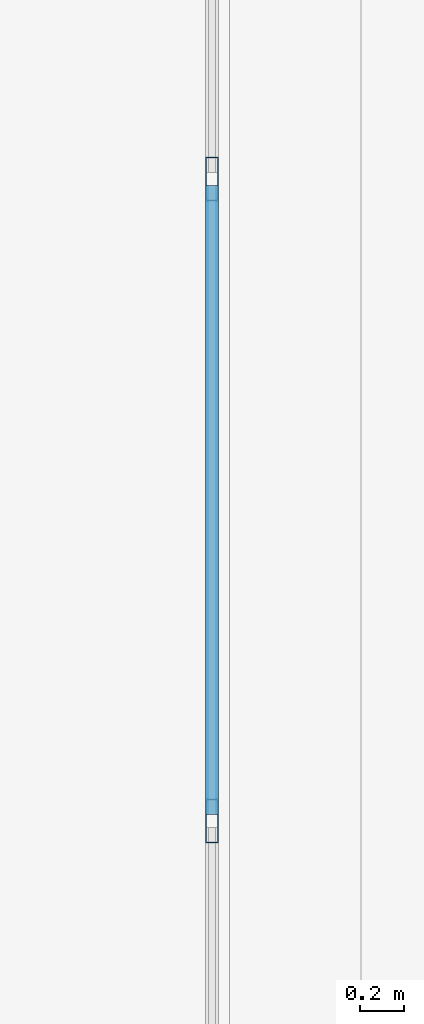
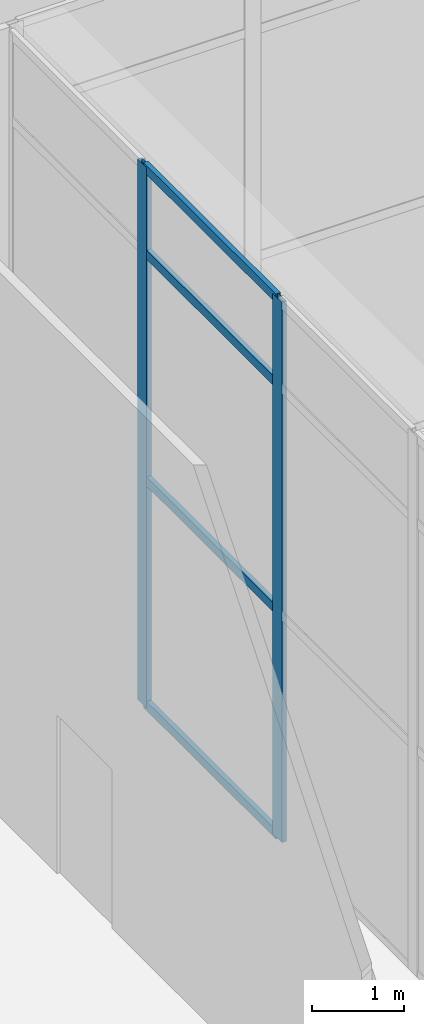
# One storey, part 9 of 52: 6 members, 1 element without a shape of its own.
"""IFC4 building model written with IfcOpenShell, lengths in metres."""

import ifcopenshell
import ifcopenshell.guid

model = None  # the IFC model being written
_history = None  # IfcOwnerHistory: only IFC2X3 demands one
_inside = {}  # id of a spatial element -> (the spatial element, [elements in it])
_under = {}  # id of a project, library or spatial element -> (it, [spatial elements below it])
_declared = {}  # id of a project -> (the project, [libraries it declares])
_typed = {}  # id of a type object -> (the type object, [elements of that type])
_made_of = {}  # id of a material, layer set ... -> (it, [elements and type objects made of it])


def new_model(schema):
    """Start an empty IFC model of exactly this schema.

    Asked for "IFC4X3", IfcOpenShell would pick the latest addendum, in which some entities
    have other attributes; the version numbers below select the first issue.
    IFC2X3 requires an IfcOwnerHistory on every rooted entity: one is made here for all.
    """
    global model, _history
    if schema == "IFC4X3":
        model = ifcopenshell.file(schema_version=(4, 3, 0, 0))
    else:
        model = ifcopenshell.file(schema=schema)
    _inside.clear()
    _under.clear()
    _declared.clear()
    _typed.clear()
    _made_of.clear()
    _history = None
    if model.schema == "IFC2X3":
        org = make("IfcOrganization", Name="unknown")
        user = make(
            "IfcPersonAndOrganization",
            ThePerson=make("IfcPerson", FamilyName="unknown"),
            TheOrganization=org,
        )
        app = make(
            "IfcApplication",
            ApplicationDeveloper=org,
            Version="unknown",
            ApplicationFullName="unknown",
            ApplicationIdentifier="unknown",
        )
        _history = make(
            "IfcOwnerHistory",
            OwningUser=user,
            OwningApplication=app,
            ChangeAction="ADDED",
            CreationDate=0,
        )
    return model


def make(cls, **values):
    """One entity of the class cls with the attributes given. An attribute that is None is left unset."""
    return model.create_entity(
        cls, **{name: value for name, value in values.items() if value is not None}
    )


def rooted(cls, **values):
    """An entity with a GlobalId (a new one), such as an element, a storey or a relation."""
    return make(cls, GlobalId=ifcopenshell.guid.new(), OwnerHistory=_history, **values)


def si_unit(unit_type, name, prefix=None):
    """IfcSIUnit, for example si_unit("LENGTHUNIT", "METRE", prefix="MILLI")."""
    return make("IfcSIUnit", UnitType=unit_type, Prefix=prefix, Name=name)


def assignment(units):
    """IfcUnitAssignment: the units of a project."""
    return None if units is None else make("IfcUnitAssignment", Units=units)


def point(xyz):
    """IfcCartesianPoint."""
    return None if xyz is None else make("IfcCartesianPoint", Coordinates=xyz)


def direction(xyz):
    """IfcDirection."""
    return None if xyz is None else make("IfcDirection", DirectionRatios=xyz)


def frame(location, z_axis=None, x_axis=None):
    """IfcAxis2Placement3D, a coordinate frame: its origin and axes. An axis left out is left unset."""
    return make(
        "IfcAxis2Placement3D",
        Location=point(location),
        Axis=direction(z_axis),
        RefDirection=direction(x_axis),
    )


def frame_2d(location, x_axis=None):
    """IfcAxis2Placement2D, a coordinate frame in the plane: its origin and x axis."""
    return make(
        "IfcAxis2Placement2D", Location=point(location), RefDirection=direction(x_axis)
    )


def origin():
    """The frame at (0, 0, 0) with its axes left unset."""
    return frame((0.0, 0.0, 0.0))


def origin_2d():
    """The frame at (0, 0) in the plane with its x axis left unset."""
    return frame_2d((0.0, 0.0))


def place(relative_to, where):
    """IfcLocalPlacement: puts the frame where relative to a parent placement (None: the world)."""
    return make(
        "IfcLocalPlacement", PlacementRelTo=relative_to, RelativePlacement=where
    )


def context(
    kind, dimensions, precision=None, world=None, true_north=None, identifier=None
):
    """IfcGeometricRepresentationContext, for example the 3D "Model" context."""
    return make(
        "IfcGeometricRepresentationContext",
        ContextIdentifier=identifier,
        ContextType=kind,
        CoordinateSpaceDimension=dimensions,
        Precision=precision,
        WorldCoordinateSystem=world,
        TrueNorth=true_north,
    )


def subcontext(parent, identifier, kind, view, scale=None):
    """IfcGeometricRepresentationSubContext, for example "Body" below "Model"."""
    return make(
        "IfcGeometricRepresentationSubContext",
        ContextIdentifier=identifier,
        ContextType=kind,
        ParentContext=parent,
        TargetScale=scale,
        TargetView=view,
    )


def project(units=None, contexts=None):
    """IfcProject with its units and contexts."""
    return rooted(
        "IfcProject",
        Name="project",
        RepresentationContexts=contexts,
        UnitsInContext=assignment(units),
    )


def spatial(cls, under=None, at=None, **own):
    """A site, building, storey or space (cls), placed at a placement, below another one or the project."""
    s = rooted(cls, ObjectPlacement=at, **own)
    if under is not None:
        _under.setdefault(under.id(), (under, []))[1].append(s)
    return s


def profile(cls, at=None, kind="AREA", **sizes):
    """A parametric profile (cls). Its sizes go by their IFC names, for example OverallWidth=200.0."""
    return make(cls, ProfileType=kind, Position=at, **sizes)


def hollow_rectangle(**sizes):
    """IfcRectangleHollowProfileDef."""
    return profile("IfcRectangleHollowProfileDef", **sizes)


def extrude(swept, where, along, depth):
    """IfcExtrudedAreaSolid: the profile swept, set in the frame where, extruded along a direction by depth."""
    return make(
        "IfcExtrudedAreaSolid",
        SweptArea=swept,
        Position=where,
        ExtrudedDirection=direction(along),
        Depth=depth,
    )


def shape(context_of_items, identifier, shape_type, items):
    """IfcShapeRepresentation: the items that make up one representation, for example the "Body"."""
    return make(
        "IfcShapeRepresentation",
        ContextOfItems=context_of_items,
        RepresentationIdentifier=identifier,
        RepresentationType=shape_type,
        Items=items,
    )


def source(mapping_origin, context_of_items, identifier, shape_type, items):
    """IfcRepresentationMap: a shape defined once, which mapped items show again and again."""
    return make(
        "IfcRepresentationMap",
        MappingOrigin=mapping_origin,
        MappedRepresentation=shape(context_of_items, identifier, shape_type, items),
    )


def transform(
    local_origin,
    x_axis=None,
    y_axis=None,
    z_axis=None,
    scale=None,
    scale2=None,
    scale3=None,
    uniform=True,
):
    """IfcCartesianTransformationOperator3D, or its non-uniform kind. x_axis, y_axis, z_axis: its Axis1, 2, 3."""
    if uniform:
        return make(
            "IfcCartesianTransformationOperator3D",
            Axis1=direction(x_axis),
            Axis2=direction(y_axis),
            LocalOrigin=point(local_origin),
            Scale=scale,
            Axis3=direction(z_axis),
        )
    return make(
        "IfcCartesianTransformationOperator3DnonUniform",
        Axis1=direction(x_axis),
        Axis2=direction(y_axis),
        LocalOrigin=point(local_origin),
        Scale=scale,
        Axis3=direction(z_axis),
        Scale2=scale2,
        Scale3=scale3,
    )


def mapped(mapping_source, mapping_target):
    """IfcMappedItem: shows the shape of a source again, moved by a transform."""
    return make(
        "IfcMappedItem", MappingSource=mapping_source, MappingTarget=mapping_target
    )


def material(Name=None, Category=None):
    """IfcMaterial."""
    return make("IfcMaterial", Name=Name, Category=Category)


def material_profile(
    of_material, cross_section, Name=None, Category=None, Priority=None
):
    """IfcMaterialProfile: a cross section and its material."""
    return make(
        "IfcMaterialProfile",
        Name=Name,
        Material=of_material,
        Profile=cross_section,
        Priority=Priority,
        Category=Category,
    )


def profile_set(profiles, Name=None, composite=None):
    """IfcMaterialProfileSet."""
    return make(
        "IfcMaterialProfileSet",
        Name=Name,
        MaterialProfiles=profiles,
        CompositeProfile=composite,
    )


def made_of(thing, what):
    """Note that an element or type object is made of a material, layer set ...; save() writes the relation."""
    if what is not None:
        _made_of.setdefault(what.id(), (what, []))[1].append(thing)
    return thing


def type_object(cls, material=None, **own):
    """A type object (cls), such as IfcWallType, which elements share."""
    return made_of(rooted(cls, **own), material)


def element(
    cls,
    number,
    at=None,
    inside=None,
    cuts=None,
    type_object=None,
    material=None,
    context=None,
    identifier="Body",
    shape_type=None,
    held_by="IfcProductDefinitionShape",
    body=None,
    shapes=None,
    **own,
):
    """One element of the class cls, such as IfcWall. Its Tag is "e" and its number.

    at: its placement. inside: the storey or other place that contains it. cuts: it is an
    opening in that element (IfcRelVoidsElement). A single representation is given by context,
    identifier, shape_type and body (its items); several are given by shapes. held_by: the class
    of the entity that holds the representations. save() writes the other relations.
    """
    e = rooted(cls, Tag="e%d" % number, ObjectPlacement=at, **own)
    if body is not None:
        shapes = [shape(context, identifier, shape_type, body)]
    if shapes is not None:
        e.Representation = make(held_by, Representations=shapes)
    if inside is not None:
        _inside.setdefault(inside.id(), (inside, []))[1].append(e)
    if cuts is not None:
        rooted(
            "IfcRelVoidsElement", RelatingBuildingElement=cuts, RelatedOpeningElement=e
        )
    if type_object is not None:
        _typed.setdefault(type_object.id(), (type_object, []))[1].append(e)
    return made_of(e, material)


def aggregate(whole, parts):
    """IfcRelAggregates: a whole, such as a stair, and the parts it consists of."""
    return rooted("IfcRelAggregates", RelatingObject=whole, RelatedObjects=parts)


def save(model, path):
    """Write the relations noted so far, then the file.

    IfcRelAggregates (storeys below a building ...), IfcRelContainedInSpatialStructure (elements
    in a storey), IfcRelDefinesByType, IfcRelAssociatesMaterial and IfcRelDeclares: one each for
    every whole, place, type object, material and project.
    """
    for whole, parts in _under.values():
        aggregate(whole, parts)
    for where, things in _inside.values():
        rooted(
            "IfcRelContainedInSpatialStructure",
            RelatedElements=things,
            RelatingStructure=where,
        )
    for kind, things in _typed.values():
        rooted("IfcRelDefinesByType", RelatedObjects=things, RelatingType=kind)
    for what, things in _made_of.values():
        rooted("IfcRelAssociatesMaterial", RelatedObjects=things, RelatingMaterial=what)
    for by, libraries in _declared.values():
        rooted("IfcRelDeclares", RelatingContext=by, RelatedDefinitions=libraries)
    model.write(path)


model = new_model("IFC4")

# Units and contexts
model_context = context("Model", 3, precision=1e-05, world=origin(), true_north=direction((0.0, 1.0)))
body_context = subcontext(model_context, "Body", "Model", "MODEL_VIEW")
ifc_project = project(units=[si_unit("LENGTHUNIT", "METRE"), si_unit("AREAUNIT", "SQUARE_METRE"), si_unit("VOLUMEUNIT", "CUBIC_METRE"), si_unit("PLANEANGLEUNIT", "RADIAN"), si_unit("MASSUNIT", "GRAM", prefix="KILO")], contexts=[model_context])

# Site, building, storey
site_placement = place(None, origin())
site = spatial("IfcSite", under=ifc_project, at=site_placement, CompositionType="ELEMENT")
building_placement = place(site_placement, origin())
building = spatial("IfcBuilding", under=site, at=building_placement, Name="Khomas Fold Tower", CompositionType="ELEMENT")
storey_placement = place(building_placement, origin())
storey = spatial("IfcBuildingStorey", under=building, at=storey_placement, Name="L00", CompositionType="ELEMENT", Elevation=0.0)

# Curtain wall, members
ifc_material_1 = material(Name="Aluminium framed double glazing", Category="aluminium")
curtain_wall_type = type_object("IfcCurtainWallType", Name="Shopfront glazing PD-CW", PredefinedType="NOTDEFINED", material=ifc_material_1)
curtain_wall_placement = place(storey_placement, origin())
curtain_wall = element("IfcCurtainWall", 1, at=curtain_wall_placement, inside=storey, type_object=curtain_wall_type, Name="Podium shopfront run", PredefinedType="NOTDEFINED")
ifc_material_2 = material(Name="Aluminium", Category="aluminium")
ifc_material_profile_1 = material_profile(ifc_material_2, hollow_rectangle(XDim=0.06005859375, YDim=0.199951171875, WallThickness=0.00390625, at=origin_2d()), Name="Shopfront glazing mullion PD-CW-M")
ifc_profile_set_1 = profile_set([ifc_material_profile_1], Name="Aluminium")
member_type_1 = type_object("IfcMemberType", Name="Shopfront glazing mullion PD-CW-M", PredefinedType="MULLION", material=ifc_profile_set_1)
shared_shape_1 = source(origin(), body_context, "Body", "SweptSolid", [
    extrude(hollow_rectangle(XDim=0.06005859375, YDim=0.199951171875, WallThickness=0.00390625, at=origin_2d()), origin(), (0.0, 0.0, 1.0), 7.14990234375),
])
member_1_placement = place(storey_placement, frame((28.77001953125, 12.13330078125, 0.0), z_axis=(0.0, 0.0, 1.0), x_axis=(-1.0, 0.0, 0.0)))
member_1 = element("IfcMember", 2, at=member_1_placement, type_object=member_type_1, Name="PD-CW mullion 5", PredefinedType="MULLION", context=body_context, shape_type="MappedRepresentation", body=[
    mapped(shared_shape_1, transform((0.0, 0.0, 0.0))),
])
member_2_placement = place(storey_placement, frame((28.77001953125, 15.066650390625, 0.0), z_axis=(0.0, 0.0, 1.0), x_axis=(-1.0, 0.0, 0.0)))
member_2 = element("IfcMember", 3, at=member_2_placement, type_object=member_type_1, Name="PD-CW mullion 6", PredefinedType="MULLION", context=body_context, shape_type="MappedRepresentation", body=[
    mapped(shared_shape_1, transform((0.0, 0.0, 0.0))),
])
ifc_material_3 = material(Name="Aluminium", Category="aluminium")
ifc_material_profile_2 = material_profile(ifc_material_3, hollow_rectangle(XDim=0.06005859375, YDim=0.1201171875, WallThickness=0.00390625, at=origin_2d()), Name="Shopfront glazing transom PD-CW-T")
ifc_profile_set_2 = profile_set([ifc_material_profile_2], Name="Aluminium")
member_type_2 = type_object("IfcMemberType", Name="Shopfront glazing transom PD-CW-T", PredefinedType="USERDEFINED", material=ifc_profile_set_2)
shared_shape_2 = source(origin(), body_context, "Body", "SweptSolid", [
    extrude(hollow_rectangle(XDim=0.06005859375, YDim=0.1201171875, WallThickness=0.00390625, at=origin_2d()), origin(), (0.0, 0.0, 1.0), 2.873291015625),
])
member_3_placement = place(storey_placement, frame((28.77001953125, 12.163330078125, 0.030029296875), z_axis=(0.0, 1.0, 0.0), x_axis=(-1.0, 0.0, 0.0)))
member_3 = element("IfcMember", 4, at=member_3_placement, type_object=member_type_2, Name="PD-CW transom 5.1", ObjectType="TRANSOM", PredefinedType="USERDEFINED", context=body_context, shape_type="MappedRepresentation", body=[
    mapped(shared_shape_2, transform((0.0, 0.0, 0.0))),
])
member_4_placement = place(storey_placement, frame((28.77001953125, 12.163330078125, 3.0), z_axis=(0.0, 1.0, 0.0), x_axis=(-1.0, 0.0, 0.0)))
member_4 = element("IfcMember", 5, at=member_4_placement, type_object=member_type_2, Name="PD-CW transom 5.2", ObjectType="TRANSOM", PredefinedType="USERDEFINED", context=body_context, shape_type="MappedRepresentation", body=[
    mapped(shared_shape_2, transform((0.0, 0.0, 0.0))),
])
member_5_placement = place(storey_placement, frame((28.77001953125, 12.163330078125, 6.0), z_axis=(0.0, 1.0, 0.0), x_axis=(-1.0, 0.0, 0.0)))
member_5 = element("IfcMember", 6, at=member_5_placement, type_object=member_type_2, Name="PD-CW transom 5.3", ObjectType="TRANSOM", PredefinedType="USERDEFINED", context=body_context, shape_type="MappedRepresentation", body=[
    mapped(shared_shape_2, transform((0.0, 0.0, 0.0))),
])
member_6_placement = place(storey_placement, frame((28.77001953125, 12.163330078125, 7.1201171875), z_axis=(0.0, 1.0, 0.0), x_axis=(-1.0, 0.0, 0.0)))
member_6 = element("IfcMember", 7, at=member_6_placement, type_object=member_type_2, Name="PD-CW transom 5.4", ObjectType="TRANSOM", PredefinedType="USERDEFINED", context=body_context, shape_type="MappedRepresentation", body=[
    mapped(shared_shape_2, transform((0.0, 0.0, 0.0))),
])
aggregate(curtain_wall, [member_1, member_2, member_3, member_4, member_5, member_6])

save(model, "model.ifc")
